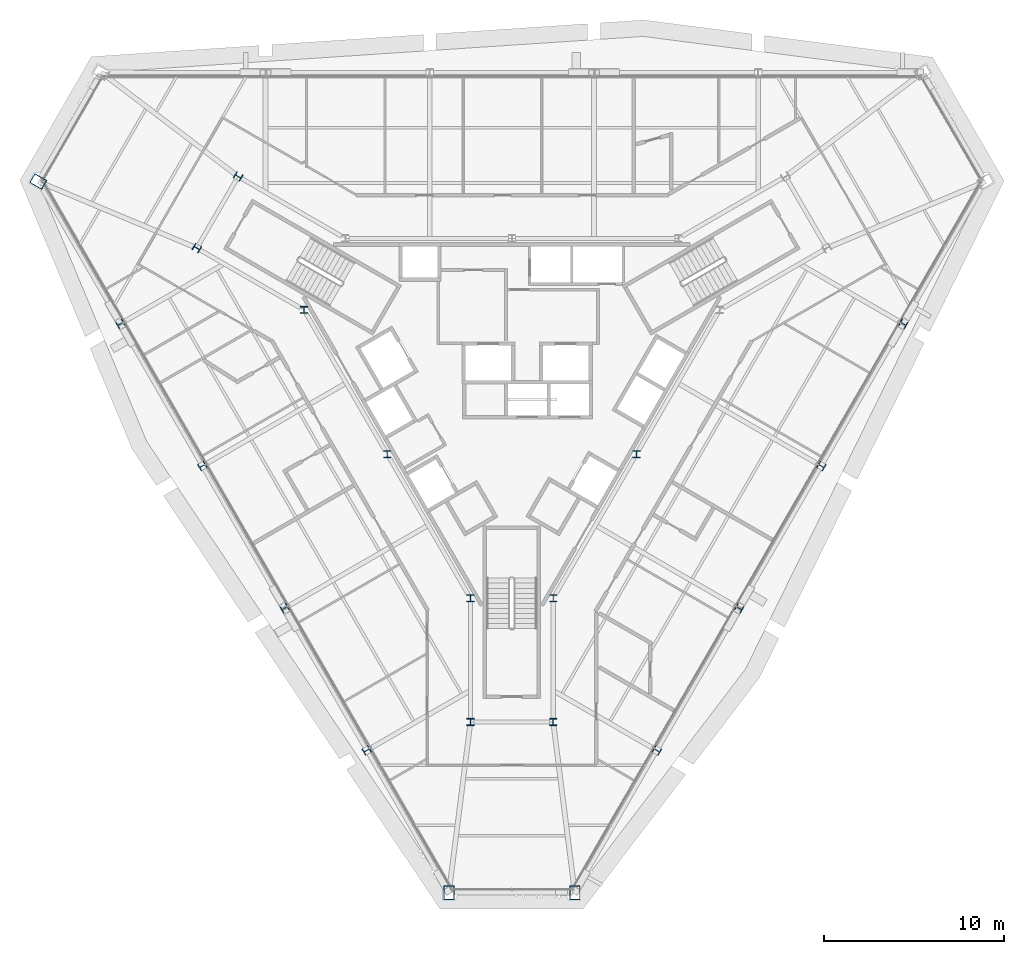
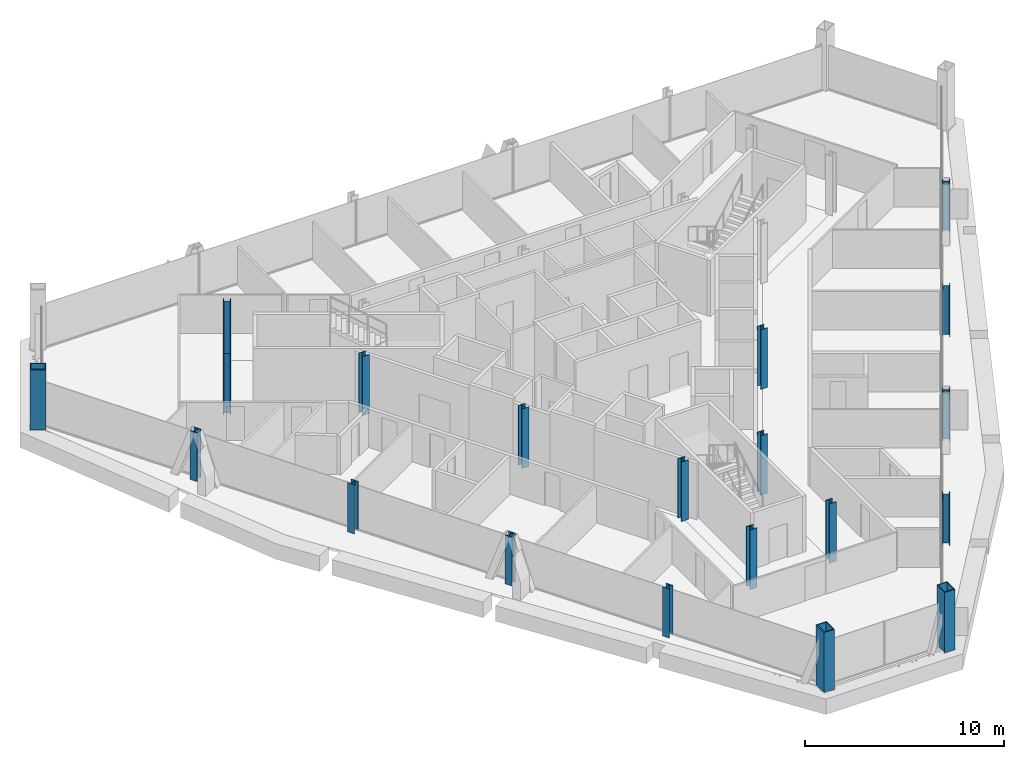
# One storey, part 1 of 15: 20 columns.
"""IFC4 building model written with IfcOpenShell, lengths in metres."""

from ifc_helpers import new_model, si_unit, direction, frame, origin, origin_2d, place, context, subcontext, project, spatial, hollow_rectangle, i_section, extrude, material, material_profile, profile_set, type_object, element, save


model = new_model("IFC4")

# Units and contexts
model_context = context("Model", 3, precision=1e-05, world=origin(), true_north=direction((0.0, 1.0)))
body_context = subcontext(model_context, "Body", "Model", "MODEL_VIEW")
ifc_project = project(units=[si_unit("LENGTHUNIT", "METRE"), si_unit("AREAUNIT", "SQUARE_METRE"), si_unit("VOLUMEUNIT", "CUBIC_METRE"), si_unit("PLANEANGLEUNIT", "RADIAN"), si_unit("MASSUNIT", "GRAM", prefix="KILO")], contexts=[model_context])

# Site, building, storey
site_placement = place(None, origin())
site = spatial("IfcSite", under=ifc_project, at=site_placement, CompositionType="ELEMENT")
building_placement = place(site_placement, origin())
building = spatial("IfcBuilding", under=site, at=building_placement, Name="Verrane Prism Tower", CompositionType="ELEMENT")
storey_placement = place(building_placement, frame((0.0, 0.0, 254.5)))
storey = spatial("IfcBuildingStorey", under=building, at=storey_placement, Name="L64", CompositionType="ELEMENT", Elevation=254.5)

# Columns
ifc_material_1 = material(Name="Steel A992", Category="steel")
ifc_material_profile_1 = material_profile(ifc_material_1, i_section(OverallWidth=0.4013671875, OverallDepth=0.398681640625, WebThickness=0.02490234375, FlangeThickness=0.03955078125, FilletRadius=0.01513671875, at=origin_2d()), Name="W14x211")
ifc_profile_set_1 = profile_set([ifc_material_profile_1], Name="Steel A992")
column_type_1 = type_object("IfcColumnType", Name="Core corner column W14x211", PredefinedType="COLUMN", material=ifc_profile_set_1)
for number, where, z_axis, x_axis, name in (
    (1, (-15.219970703125, 11.43994140625, 0.0), (0.0, 0.0, 1.0), (0.5, 0.866025403784, 0.0), "Core corner column CK-NWm L64"),
    (2, (-17.52001953125, 7.4599609375, 0.0), (0.0, 0.0, 1.0), (0.5, 0.866025403784, 0.0), "Core corner column CK-NWp L64"),
    (3, (-2.300048828125, -18.89990234375, 0.0), (0.0, 0.0, 1.0), (-1.0, 0.0, 0.0), "Core corner column CK-Sm L64"),
    (4, (2.300048828125, -18.89990234375, 0.0), (0.0, 0.0, 1.0), (-1.0, 0.0, 0.0), "Core corner column CK-Sp L64"),
):
    element("IfcColumn", number, at=place(storey_placement, frame(where, z_axis=z_axis, x_axis=x_axis)), inside=storey, type_object=column_type_1, Name=name, PredefinedType="COLUMN", context=body_context, shape_type="SweptSolid", body=[
        extrude(i_section(OverallWidth=0.4013671875, OverallDepth=0.398681640625, WebThickness=0.02490234375, FlangeThickness=0.03955078125, FilletRadius=0.01513671875, at=origin_2d()), origin(), (0.0, 0.0, 1.0), 3.64990234375),
    ])
ifc_material_2 = material(Name="Steel A992", Category="steel")
ifc_material_profile_2 = material_profile(ifc_material_2, i_section(OverallWidth=0.398681640625, OverallDepth=0.385986328125, WebThickness=0.02099609375, FlangeThickness=0.033203125, FilletRadius=0.01513671875, at=origin_2d()), Name="W14x176")
ifc_profile_set_2 = profile_set([ifc_material_profile_2], Name="Steel A992")
column_type_2 = type_object("IfcColumnType", Name="Core side column W14x176", PredefinedType="COLUMN", material=ifc_profile_set_2)
column_1_placement = place(storey_placement, frame((-11.56005859375, 4.02001953125, 0.0), z_axis=(0.0, 0.0, 1.0), x_axis=(1.0, 0.0, 0.0)))
element("IfcColumn", 5, at=column_1_placement, inside=storey, type_object=column_type_2, Name="Core side column CC-NWp L64", PredefinedType="COLUMN", context=body_context, shape_type="SweptSolid", body=[
    extrude(i_section(OverallWidth=0.398681640625, OverallDepth=0.385986328125, WebThickness=0.02099609375, FlangeThickness=0.033203125, FilletRadius=0.01513671875, at=origin_2d()), origin(), (0.0, 0.0, 1.0), 3.635009765625),
])
column_2_placement = place(storey_placement, frame((-6.929931640625, -4.0, 0.0), z_axis=(0.0, 0.0, 1.0), x_axis=(1.0, 0.0, 0.0)))
element("IfcColumn", 6, at=column_2_placement, inside=storey, type_object=column_type_2, Name="Core side column CC-SW0 L64", PredefinedType="COLUMN", context=body_context, shape_type="SweptSolid", body=[
    extrude(i_section(OverallWidth=0.398681640625, OverallDepth=0.385986328125, WebThickness=0.02099609375, FlangeThickness=0.033203125, FilletRadius=0.01513671875, at=origin_2d()), origin(), (0.0, 0.0, 1.0), 3.659912109375),
])
for number, where, z_axis, x_axis, name in (
    (7, (-2.300048828125, -12.02001953125, 0.0), (0.0, 0.0, 1.0), (1.0, 0.0, 0.0), "Core side column CC-Sm L64"),
    (8, (2.300048828125, -12.02001953125, 0.0), (0.0, 0.0, 1.0), (1.0, 0.0, 0.0), "Core side column CC-Sp L64"),
):
    element("IfcColumn", number, at=place(storey_placement, frame(where, z_axis=z_axis, x_axis=x_axis)), inside=storey, type_object=column_type_2, Name=name, PredefinedType="COLUMN", context=body_context, shape_type="SweptSolid", body=[
        extrude(i_section(OverallWidth=0.398681640625, OverallDepth=0.385986328125, WebThickness=0.02099609375, FlangeThickness=0.033203125, FilletRadius=0.01513671875, at=origin_2d()), origin(), (0.0, 0.0, 1.0), 3.64990234375),
    ])
column_3_placement = place(storey_placement, frame((6.929931640625, -4.0, 0.0), z_axis=(0.0, 0.0, 1.0), x_axis=(1.0, 0.0, 0.0)))
element("IfcColumn", 9, at=column_3_placement, inside=storey, type_object=column_type_2, Name="Core side column CC-SE0 L64", PredefinedType="COLUMN", context=body_context, shape_type="SweptSolid", body=[
    extrude(i_section(OverallWidth=0.398681640625, OverallDepth=0.385986328125, WebThickness=0.02099609375, FlangeThickness=0.033203125, FilletRadius=0.01513671875, at=origin_2d()), origin(), (0.0, 0.0, 1.0), 3.659912109375),
])
ifc_material_3 = material(Name="Steel A572 Grade 50", Category="steel")
ifc_material_profile_3 = material_profile(ifc_material_3, hollow_rectangle(XDim=0.60009765625, YDim=0.800048828125, WallThickness=0.050048828125, at=origin_2d()), Name="BOX 800x600x50")
ifc_profile_set_3 = profile_set([ifc_material_profile_3], Name="Steel A572 Grade 50")
column_type_3 = type_object("IfcColumnType", Name="Megacolumn BOX 800x600x50", PredefinedType="COLUMN", material=ifc_profile_set_3)
for number, where, z_axis, x_axis, name in (
    (10, (-26.340087890625, 11.159912109375, 0.0), (0.0, 0.0, 1.0), (0.5, 0.866025403784, 0.0), "Megacolumn MC-NW.b L64"),
    (11, (-3.5, -28.389892578125, 0.0), (0.0, 0.0, 1.0), (-1.0, 0.0, 0.0), "Megacolumn MC-S.a L64"),
    (12, (3.5, -28.389892578125, 0.0), (0.0, 0.0, 1.0), (-1.0, 0.0, 0.0), "Megacolumn MC-S.b L64"),
):
    element("IfcColumn", number, at=place(storey_placement, frame(where, z_axis=z_axis, x_axis=x_axis)), inside=storey, type_object=column_type_3, Name=name, PredefinedType="COLUMN", context=body_context, shape_type="SweptSolid", body=[
        extrude(hollow_rectangle(XDim=0.60009765625, YDim=0.800048828125, WallThickness=0.050048828125, at=origin_2d()), origin(), (0.0, 0.0, 1.0), 3.699951171875),
    ])
ifc_material_4 = material(Name="Steel A992", Category="steel")
ifc_material_profile_4 = material_profile(ifc_material_4, i_section(OverallWidth=0.398681640625, OverallDepth=0.385986328125, WebThickness=0.02099609375, FlangeThickness=0.033203125, FilletRadius=0.01513671875, at=origin_2d()), Name="W14x176")
ifc_profile_set_4 = profile_set([ifc_material_profile_4], Name="Steel A992")
column_type_4 = type_object("IfcColumnType", Name="Perimeter column W14x176", PredefinedType="COLUMN", material=ifc_profile_set_4)
for number, where, z_axis, x_axis, name in (
    (13, (-21.77001953125, 3.25, 0.0), (0.0, 0.0, 1.0), (-0.5, 0.866025403784, 0.0), "Perimeter column PC-SW1 L64"),
    (14, (-17.2099609375, -4.659912109375, 0.0), (0.0, 0.0, 1.0), (-0.5, 0.866025403784, 0.0), "Perimeter column PC-SW2 L64"),
    (15, (-12.639892578125, -12.570068359375, 0.0), (0.0, 0.0, 1.0), (-0.5, 0.866025403784, 0.0), "Perimeter column PC-SW3 L64"),
    (16, (-8.070068359375, -20.47998046875, 0.0), (0.0, 0.0, 1.0), (-0.5, 0.866025403784, 0.0), "Perimeter column PC-SW4 L64"),
    (17, (8.070068359375, -20.47998046875, 0.0), (0.0, 0.0, 1.0), (-0.5, -0.866025403784, 0.0), "Perimeter column PC-SE1 L64"),
    (18, (12.639892578125, -12.570068359375, 0.0), (0.0, 0.0, 1.0), (-0.5, -0.866025403784, 0.0), "Perimeter column PC-SE2 L64"),
    (19, (17.2099609375, -4.659912109375, 0.0), (0.0, 0.0, 1.0), (-0.5, -0.866025403784, 0.0), "Perimeter column PC-SE3 L64"),
    (20, (21.77001953125, 3.25, 0.0), (0.0, 0.0, 1.0), (-0.5, -0.866025403784, 0.0), "Perimeter column PC-SE4 L64"),
):
    element("IfcColumn", number, at=place(storey_placement, frame(where, z_axis=z_axis, x_axis=x_axis)), inside=storey, type_object=column_type_4, Name=name, PredefinedType="COLUMN", context=body_context, shape_type="SweptSolid", body=[
        extrude(i_section(OverallWidth=0.398681640625, OverallDepth=0.385986328125, WebThickness=0.02099609375, FlangeThickness=0.033203125, FilletRadius=0.01513671875, at=origin_2d()), origin(), (0.0, 0.0, 1.0), 3.010009765625),
    ])

save(model, "model.ifc")
